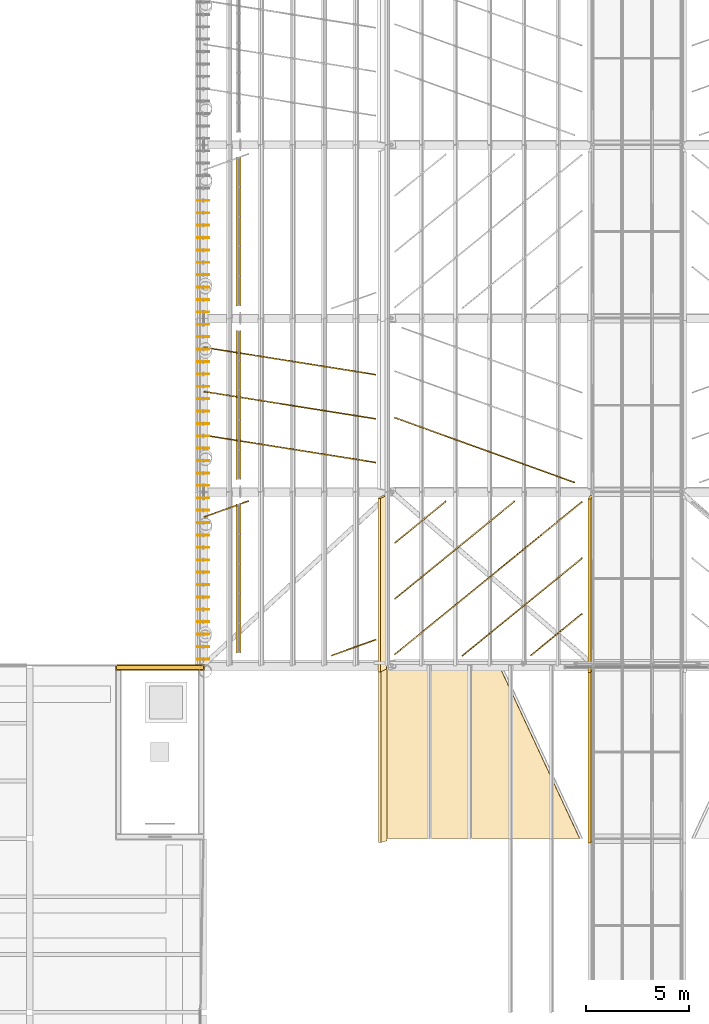
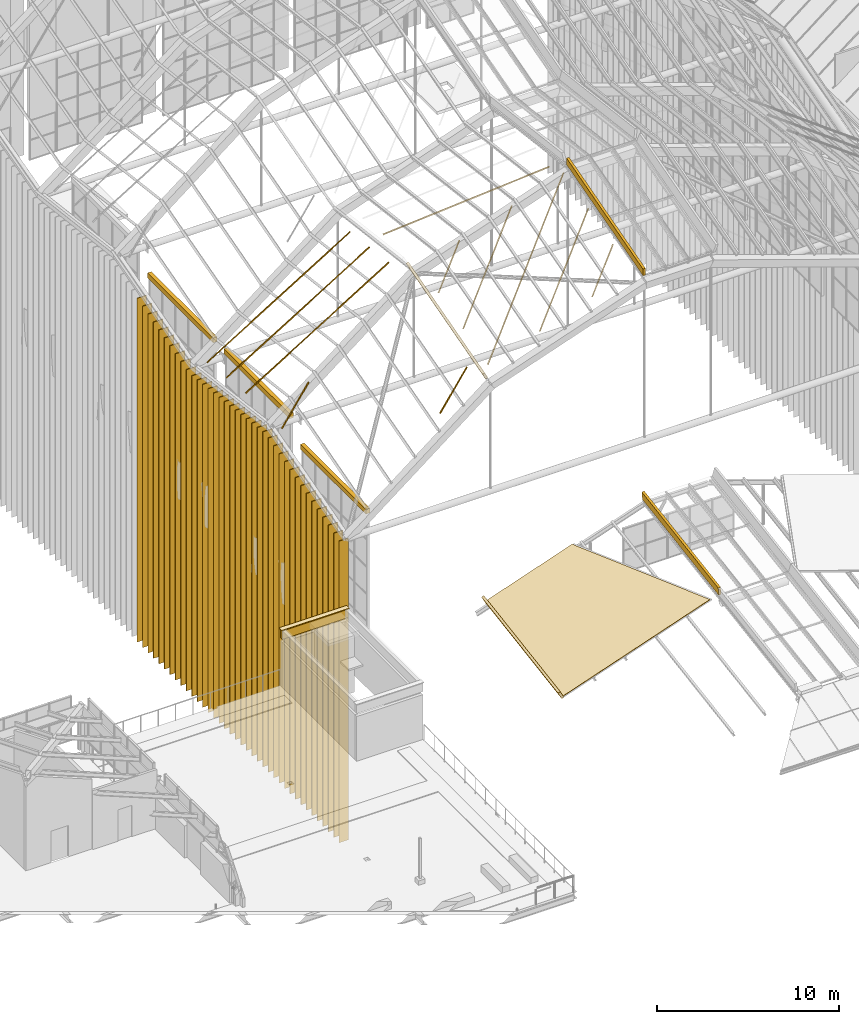
# One storey, part 101 of 126: 38 shading devices, 21 coverings.
"""IFC4 building model written with IfcOpenShell, lengths in metres."""

from ifc_helpers import new_model, si_unit, direction, frame, origin, origin_2d, place, context, subcontext, project, spatial, polyline, rectangle, outline, extrude, material, layer, layer_set, material_profile, profile_set, type_object, element, save


model = new_model("IFC4")

# Units and contexts
model_context = context("Model", 3, precision=1e-05, world=origin(), true_north=direction((0.0, 1.0)))
body_context = subcontext(model_context, "Body", "Model", "MODEL_VIEW")
ifc_project = project(units=[si_unit("LENGTHUNIT", "METRE"), si_unit("AREAUNIT", "SQUARE_METRE"), si_unit("VOLUMEUNIT", "CUBIC_METRE"), si_unit("PLANEANGLEUNIT", "RADIAN"), si_unit("MASSUNIT", "GRAM", prefix="KILO")], contexts=[model_context])

# Site, building, storey
site_placement = place(None, origin())
site = spatial("IfcSite", under=ifc_project, at=site_placement, CompositionType="ELEMENT")
building_placement = place(site_placement, origin())
building = spatial("IfcBuilding", under=site, at=building_placement, Name="Sava Quay Ferry Terminal", CompositionType="ELEMENT")
storey_placement = place(building_placement, frame((0.0, 0.0, 15.0)))
storey = spatial("IfcBuildingStorey", under=building, at=storey_placement, Name="L03", CompositionType="ELEMENT", Elevation=15.0)

# Coverings
ifc_material_1 = material(Name="Copper patinated")
ifc_layer_1 = layer(ifc_material_1, 0.25)
ifc_layer_set_1 = layer_set([ifc_layer_1], Name="Copper patinated")
covering_type_1 = type_object("IfcCoveringType", Name="Copper spandrel panel 250", PredefinedType="CLADDING", material=ifc_layer_set_1)
covering_1_placement = place(storey_placement, frame((43.699951171875, 51.0, 9.10009765625), z_axis=(0.0, 0.0, 1.0), x_axis=(0.0, 1.0, 0.0)))
element("IfcCovering", 1, at=covering_1_placement, inside=storey, type_object=covering_type_1, Name="Spandrel panel D-W", PredefinedType="CLADDING", context=body_context, shape_type="SweptSolid", body=[
    extrude(outline(polyline([(0.0, 0.0), (7.199951171875, 0.0), (7.199951171875, 0.31640625), (0.0, 0.31640625), (0.0, 0.0)])), frame((0.0, 0.125, 0.0), z_axis=(0.0, -1.0, 0.0), x_axis=(1.0, 0.0, 0.0)), (0.0, 0.0, 1.0), 0.25),
])
covering_2_placement = place(storey_placement, frame((43.699951171875, 59.39990234375, 10.39990234375), z_axis=(0.0, 0.0, 1.0), x_axis=(0.0, 1.0, 0.0)))
element("IfcCovering", 2, at=covering_2_placement, inside=storey, type_object=covering_type_1, Name="Spandrel panel D-W", PredefinedType="CLADDING", context=body_context, shape_type="SweptSolid", body=[
    extrude(outline(polyline([(0.0, 0.0), (7.2001953125, 0.0), (7.199951171875, 0.337890625), (0.0, 0.337890625), (0.0, 0.0)])), frame((0.0, 0.125, 0.0), z_axis=(0.0, -1.0, 0.0), x_axis=(1.0, 0.0, 0.0)), (0.0, 0.0, 1.0), 0.25),
])
covering_3_placement = place(storey_placement, frame((43.699951171875, 67.800048828125, 10.39990234375), z_axis=(0.0, 0.0, 1.0), x_axis=(0.0, 1.0, 0.0)))
element("IfcCovering", 3, at=covering_3_placement, inside=storey, type_object=covering_type_1, Name="Spandrel panel D-W", PredefinedType="CLADDING", context=body_context, shape_type="SweptSolid", body=[
    extrude(outline(polyline([(0.0, 0.0), (7.199951171875, 0.0), (7.199951171875, 0.33056640625), (0.0, 0.33056640625), (0.0, 0.0)])), frame((0.0, 0.125, 0.0), z_axis=(0.0, -1.0, 0.0), x_axis=(1.0, 0.0, 0.0)), (0.0, 0.0, 1.0), 0.25),
])
ifc_material_2 = material(Name="Steel S355", Category="steel")
ifc_material_profile_1 = material_profile(ifc_material_2, rectangle(XDim=0.14990234375, YDim=0.60009765625, at=origin_2d()), Name="Cap 150 x 600")
ifc_profile_set_1 = profile_set([ifc_material_profile_1], Name="Steel S355")
covering_type_2 = type_object("IfcCoveringType", Name="Crease capping 150x600", PredefinedType="MOLDING", material=ifc_profile_set_1)
for number, where, z_axis, x_axis, name in (
    (4, (50.657958984375, 50.156494140625, 16.40087890625), (0.0, 0.962818275279, 0.270149900588), (-0.885826064608, 0.12535426489, -0.446764469866), "Departure hall crease capping bay 1 crease 1"),
    (5, (60.73779296875, 50.128662109375, 19.864013671875), (0.0, 0.962818275279, 0.270149900588), (-0.987217634461, 0.043055946895, -0.15345203696), "Departure hall crease capping bay 1 crease 2"),
):
    element("IfcCovering", number, at=place(storey_placement, frame(where, z_axis=z_axis, x_axis=x_axis)), inside=storey, type_object=covering_type_2, Name=name, PredefinedType="MOLDING", context=body_context, shape_type="SweptSolid", body=[
        extrude(rectangle(XDim=0.14990234375, YDim=0.60009765625, at=origin_2d()), origin(), (0.0, 0.0, 1.0), 8.724609375),
    ])
covering_4_placement = place(storey_placement, frame((50.68310546875, 41.867919921875, 0.007568359375), z_axis=(0.0, 0.987364949676, 0.158462791063), x_axis=(-0.881204241549, 0.074911025601, -0.466762705151)))
element("IfcCovering", 6, at=covering_4_placement, inside=storey, type_object=covering_type_2, Name="Arrivals hall crease capping bay 2 crease 1", PredefinedType="MOLDING", context=body_context, shape_type="SweptSolid", body=[
    extrude(rectangle(XDim=0.14990234375, YDim=0.60009765625, at=origin_2d()), origin(), (0.0, 0.0, 1.0), 8.507568359375),
])
covering_5_placement = place(storey_placement, frame((60.745849609375, 41.852294921875, 3.469970703125), z_axis=(0.0, 0.98736422906, 0.158467281081), x_axis=(-0.986605076852, 0.025850294201, -0.161065777305)))
element("IfcCovering", 7, at=covering_5_placement, inside=storey, type_object=covering_type_2, Name="Arrivals hall crease capping bay 2 crease 2", PredefinedType="MOLDING", context=body_context, shape_type="SweptSolid", body=[
    extrude(rectangle(XDim=0.14990234375, YDim=0.60009765625, at=origin_2d()), origin(), (0.0, 0.0, 1.0), 8.50732421875),
])
ifc_material_3 = material(Name="Limestone Mutalj", Category="masonry")
ifc_layer_2 = layer(ifc_material_3, 0.050048828125)
ifc_layer_set_2 = layer_set([ifc_layer_2], Name="Limestone Mutalj")
covering_type_3 = type_object("IfcCoveringType", Name="Overrun coping 300", PredefinedType="MOLDING", material=ifc_layer_set_2)
covering_6_placement = place(storey_placement, frame((39.89990234375, 50.300048828125, 3.7998046875), z_axis=(0.0, 0.0, 1.0), x_axis=(1.0, 0.0, 0.0)))
element("IfcCovering", 8, at=covering_6_placement, inside=storey, type_object=covering_type_3, Name="Overrun coping ST-W2 N", PredefinedType="MOLDING", context=body_context, shape_type="SweptSolid", body=[
    extrude(rectangle(XDim=4.300048828125, YDim=0.300048828125, at=origin_2d()), origin(), (0.0, 0.0, 1.0), 0.050048828125),
])
ifc_material_4 = material(Name="Limestone Mutalj", Category="masonry")
ifc_layer_3 = layer(ifc_material_4, 0.199951171875)
ifc_layer_set_3 = layer_set([ifc_layer_3], Name="Limestone Mutalj")
covering_type_4 = type_object("IfcCoveringType", Name="Overrun parapet 200", PredefinedType="MOLDING", material=ifc_layer_set_3)
covering_7_placement = place(storey_placement, frame((39.89990234375, 50.300048828125, 3.199951171875), z_axis=(0.0, 0.0, 1.0), x_axis=(1.0, 0.0, 0.0)))
element("IfcCovering", 9, at=covering_7_placement, inside=storey, type_object=covering_type_4, Name="Overrun parapet ST-W2 N", PredefinedType="MOLDING", context=body_context, shape_type="SweptSolid", body=[
    extrude(rectangle(XDim=4.199951171875, YDim=0.199951171875, at=origin_2d()), origin(), (0.0, 0.0, 1.0), 0.60009765625),
])
ifc_material_5 = material(Name="Zinc standing seam")
ifc_layer_4 = layer(ifc_material_5, 0.0400390625)
ifc_layer_set_4 = layer_set([ifc_layer_4], Name="Zinc standing seam")
covering_type_5 = type_object("IfcCoveringType", Name="Roof seam rib 60", PredefinedType="ROOFING", material=ifc_layer_set_4)
for number, where, z_axis, x_axis, name in (
    (10, (48.186767578125, 50.88818359375, 14.34521484375), (-0.60113236674, -0.215991283288, 0.769407332433), (0.724124379374, 0.26006063106, 0.638758445242), "Roof seam rib"),
    (11, (42.02099609375, 57.59912109375, 11.4111328125), (-0.60113236674, -0.215991283288, 0.769407332433), (0.724124379374, 0.26006063106, 0.638758445242), "Roof seam rib"),
):
    element("IfcCovering", number, at=place(storey_placement, frame(where, z_axis=z_axis, x_axis=x_axis)), inside=storey, type_object=covering_type_5, Name=name, PredefinedType="ROOFING", context=body_context, shape_type="SweptSolid", body=[
        extrude(outline(polyline([(0.0, 0.0), (2.9571679712332175, 8.649222831003112e-17), (2.957174884737407, -0.05992645325664395), (6.913504189427072e-06, -0.059926453256644044), (0.0, 0.0)])), origin(), (0.0, 0.0, -1.0), 0.0400390625),
    ])
covering_8_placement = place(storey_placement, frame((57.830810546875, 50.88330078125, 18.796630859375), z_axis=(-0.314106095751, -0.257220739828, 0.913879013664), x_axis=(0.708466258121, 0.577279163236, 0.405985626344)))
element("IfcCovering", 12, at=covering_8_placement, inside=storey, type_object=covering_type_5, Name="Roof seam rib", PredefinedType="ROOFING", context=body_context, shape_type="SweptSolid", body=[
    extrude(outline(polyline([(0.0, 0.0), (3.4949922497935186, -1.0842021724855044e-17), (3.4951967652358884, -0.06001852629964467), (6.35781466575662e-05, -0.06020772918177522), (0.0, 0.0)])), origin(), (0.0, 0.0, -1.0), 0.0400390625),
])
covering_9_placement = place(storey_placement, frame((54.506591796875, 50.88330078125, 17.652099609375), z_axis=(-0.314794436036, -0.256285522532, 0.913904915175), x_axis=(0.708452676715, 0.577336149767, 0.405928288035)))
element("IfcCovering", 13, at=covering_9_placement, inside=storey, type_object=covering_type_5, Name="Roof seam rib", PredefinedType="ROOFING", context=body_context, shape_type="SweptSolid", body=[
    extrude(outline(polyline([(0.0, 0.0), (8.187286541519384, -4.0700949555105836e-16), (8.187346945074559, -0.060207728374993295), (-0.0001125585241016705, -0.06005351355849104), (0.0, 0.0)])), origin(), (0.0, 0.0, -1.0), 0.0400390625),
])
covering_10_placement = place(storey_placement, frame((51.23681640625, 50.927490234375, 16.53857421875), z_axis=(-0.31446572074, -0.256689866536, 0.913904602733), x_axis=(0.708445894793, 0.577344026253, 0.405928921734)))
element("IfcCovering", 14, at=covering_10_placement, inside=storey, type_object=covering_type_5, Name="Roof seam rib", PredefinedType="ROOFING", context=body_context, shape_type="SweptSolid", body=[
    extrude(outline(polyline([(0.0, 0.0), (12.802771028628666, -2.5543803183758484e-16), (12.802830806600713, -0.06020774084914863), (2.7770679921504393e-05, -0.05986425015122872), (0.0, 0.0)])), origin(), (0.0, 0.0, -1.0), 0.0400390625),
])
covering_11_placement = place(storey_placement, frame((51.23681640625, 53.636474609375, 17.298583984375), z_axis=(-0.314895030237, -0.25621380413, 0.913890368975), x_axis=(0.708441420567, 0.577326979548, 0.405960973878)))
element("IfcCovering", 15, at=covering_11_placement, inside=storey, type_object=covering_type_5, Name="Roof seam rib", PredefinedType="ROOFING", context=body_context, shape_type="SweptSolid", body=[
    extrude(outline(polyline([(0.0, 0.0), (8.187385649223211, -4.617617052615763e-16), (8.187273092361455, -0.06005351771160685), (2.8392107858220966e-05, -0.05986424210506799), (0.0, 0.0)])), origin(), (0.0, 0.0, -1.0), 0.0400390625),
])
covering_12_placement = place(storey_placement, frame((51.23681640625, 56.345458984375, 18.058837890625), z_axis=(-0.314884504303, -0.256205239722, 0.913896396803), x_axis=(0.70841734229, 0.577366075623, 0.405947390511)))
element("IfcCovering", 16, at=covering_12_placement, inside=storey, type_object=covering_type_5, Name="Roof seam rib", PredefinedType="ROOFING", context=body_context, shape_type="SweptSolid", body=[
    extrude(outline(polyline([(0.0, 0.0), (3.4948611253527404, -4.36879265403034e-16), (3.4947458342421354, -0.0600535125251691), (2.566740395125444e-05, -0.05986424333586581), (0.0, 0.0)])), origin(), (0.0, 0.0, -1.0), 0.0400390625),
])
covering_13_placement = place(storey_placement, frame((42.027587890625, 61.5634765625, 11.3916015625), z_axis=(-0.612789242084, 0.097088007491, 0.784259691421), x_axis=(0.774539036618, -0.123095892751, 0.620432657057)))
element("IfcCovering", 17, at=covering_13_placement, inside=storey, type_object=covering_type_5, Name="Roof seam rib", PredefinedType="ROOFING", context=body_context, shape_type="SweptSolid", body=[
    extrude(outline(polyline([(0.0, 0.0), (10.725944895530251, -2.0036056147532122e-16), (10.726062038730188, -0.060047018729689074), (-7.195324454987388e-05, -0.06008529405130016), (0.0, 0.0)])), origin(), (0.0, 0.0, -1.0), 0.0400390625),
])
covering_14_placement = place(storey_placement, frame((42.027587890625, 63.689697265625, 11.127685546875), z_axis=(-0.612713252648, 0.097477108376, 0.78427079722), x_axis=(0.7745499738, -0.123097633772, 0.620418657558)))
element("IfcCovering", 18, at=covering_14_placement, inside=storey, type_object=covering_type_5, Name="Roof seam rib", PredefinedType="ROOFING", context=body_context, shape_type="SweptSolid", body=[
    extrude(outline(polyline([(0.0, 0.0), (10.725793423087307, -3.589793393099505e-16), (10.725880514974147, -0.05980587215757152), (-0.00010200722785683528, -0.05984420675134462), (0.0, 0.0)])), origin(), (0.0, 0.0, -1.0), 0.0400390625),
])
covering_15_placement = place(storey_placement, frame((42.027587890625, 65.816162109375, 10.86376953125), z_axis=(-0.612775414505, 0.097085816701, 0.784270766747), x_axis=(0.774549974667, -0.123097631112, 0.620418657004)))
element("IfcCovering", 19, at=covering_15_placement, inside=storey, type_object=covering_type_5, Name="Roof seam rib", PredefinedType="ROOFING", context=body_context, shape_type="SweptSolid", body=[
    extrude(outline(polyline([(0.0, 0.0), (10.725793423087254, 6.071532165918825e-18), (10.725910567941494, -0.06004701872856421), (-7.195426066875475e-05, -0.0600852940521847), (0.0, 0.0)])), origin(), (0.0, 0.0, -1.0), 0.0400390625),
])
covering_16_placement = place(storey_placement, frame((51.258056640625, 62.431884765625, 18.281982421875), z_axis=(-0.323265042717, 0.11685121674, 0.939066294413), x_axis=(0.883386847899, -0.318548653042, 0.343735992593)))
element("IfcCovering", 20, at=covering_16_placement, inside=storey, type_object=covering_type_5, Name="Roof seam rib", PredefinedType="ROOFING", context=body_context, shape_type="SweptSolid", body=[
    extrude(outline(polyline([(0.0, 0.0), (9.869117910346914, 1.1926223897340549e-17), (9.868966602639178, -0.06000924405620099), (6.43629094277745e-05, -0.059926406099127465), (0.0, 0.0)])), origin(), (0.0, 0.0, -1.0), 0.0400390625),
])
ifc_material_6 = material(Name="Zinc standing seam sheet")
ifc_layer_5 = layer(ifc_material_6, 0.0400390625)
ifc_layer_set_5 = layer_set([ifc_layer_5], Name="Zinc standing seam sheet")
covering_type_6 = type_object("IfcCoveringType", Name="Standing seam roofing 40", PredefinedType="ROOFING", material=ifc_layer_set_5)
covering_17_placement = place(storey_placement, frame((50.83349609375, 50.389892578125, 1.112548828125), z_axis=(-0.321894753976, -0.150016182453, 0.934814908078), x_axis=(0.945514726196, 1.231557e-06, 0.32557933372)))
element("IfcCovering", 21, at=covering_17_placement, inside=storey, type_object=covering_type_6, Name="Arrivals hall roofing bay 2 facet 2 (lower part)", PredefinedType="ROOFING", context=body_context, shape_type="SweptSolid", body=[
    extrude(outline(polyline([(0.0, 0.0), (5.79707152021702, -5.551115123125783e-17), (9.48978558344815, -8.475810660298306), (-0.43782549855654596, -8.475791072795198), (0.0, 0.0)])), origin(), (0.0, 0.0, -1.0), 0.0400390625),
])

# Shading devices
ifc_material_7 = material(Name="Aluminium bronze anodised", Category="aluminium")
ifc_material_profile_2 = material_profile(ifc_material_7, rectangle(XDim=0.0400390625, YDim=0.60009765625, at=origin_2d()), Name="Vertical brise-soleil blade 40x600")
ifc_profile_set_2 = profile_set([ifc_material_profile_2], Name="Aluminium bronze anodised")
shading_device_type = type_object("IfcShadingDeviceType", Name="Vertical brise-soleil blade 40x600", PredefinedType="USERDEFINED", material=ifc_profile_set_2)
shading_device_1_placement = place(storey_placement, frame((42.0, 50.699951171875, -12.10009765625), z_axis=(0.0, 0.0, 1.0), x_axis=(0.0, 1.0, 0.0)))
element("IfcShadingDevice", 22, at=shading_device_1_placement, inside=storey, type_object=shading_device_type, Name="Brise-soleil blade D-W 1", ObjectType="BRISE-SOLEIL BLADE", PredefinedType="USERDEFINED", context=body_context, shape_type="SweptSolid", body=[
    extrude(rectangle(XDim=0.0400390625, YDim=0.60009765625, at=origin_2d()), origin(), (0.0, 0.0, 1.0), 20.23583984375),
])
shading_device_2_placement = place(storey_placement, frame((42.0, 51.300048828125, -12.10009765625), z_axis=(0.0, 0.0, 1.0), x_axis=(0.0, 1.0, 0.0)))
element("IfcShadingDevice", 23, at=shading_device_2_placement, inside=storey, type_object=shading_device_type, Name="Brise-soleil blade D-W 2", ObjectType="BRISE-SOLEIL BLADE", PredefinedType="USERDEFINED", context=body_context, shape_type="SweptSolid", body=[
    extrude(rectangle(XDim=0.0400390625, YDim=0.60009765625, at=origin_2d()), origin(), (0.0, 0.0, 1.0), 20.404052734375),
])
shading_device_3_placement = place(storey_placement, frame((42.0, 51.89990234375, -12.10009765625), z_axis=(0.0, 0.0, 1.0), x_axis=(0.0, 1.0, 0.0)))
element("IfcShadingDevice", 24, at=shading_device_3_placement, inside=storey, type_object=shading_device_type, Name="Brise-soleil blade D-W 3", ObjectType="BRISE-SOLEIL BLADE", PredefinedType="USERDEFINED", context=body_context, shape_type="SweptSolid", body=[
    extrude(rectangle(XDim=0.0400390625, YDim=0.60009765625, at=origin_2d()), origin(), (0.0, 0.0, 1.0), 20.572509765625),
])
shading_device_4_placement = place(storey_placement, frame((42.0, 52.5, -12.10009765625), z_axis=(0.0, 0.0, 1.0), x_axis=(0.0, 1.0, 0.0)))
element("IfcShadingDevice", 25, at=shading_device_4_placement, inside=storey, type_object=shading_device_type, Name="Brise-soleil blade D-W 4", ObjectType="BRISE-SOLEIL BLADE", PredefinedType="USERDEFINED", context=body_context, shape_type="SweptSolid", body=[
    extrude(rectangle(XDim=0.0400390625, YDim=0.60009765625, at=origin_2d()), origin(), (0.0, 0.0, 1.0), 20.740966796875),
])
shading_device_5_placement = place(storey_placement, frame((42.0, 53.10009765625, -12.10009765625), z_axis=(0.0, 0.0, 1.0), x_axis=(0.0, 1.0, 0.0)))
element("IfcShadingDevice", 26, at=shading_device_5_placement, inside=storey, type_object=shading_device_type, Name="Brise-soleil blade D-W 5", ObjectType="BRISE-SOLEIL BLADE", PredefinedType="USERDEFINED", context=body_context, shape_type="SweptSolid", body=[
    extrude(rectangle(XDim=0.0400390625, YDim=0.60009765625, at=origin_2d()), origin(), (0.0, 0.0, 1.0), 20.9091796875),
])
shading_device_6_placement = place(storey_placement, frame((42.0, 53.699951171875, -12.10009765625), z_axis=(0.0, 0.0, 1.0), x_axis=(0.0, 1.0, 0.0)))
element("IfcShadingDevice", 27, at=shading_device_6_placement, inside=storey, type_object=shading_device_type, Name="Brise-soleil blade D-W 6", ObjectType="BRISE-SOLEIL BLADE", PredefinedType="USERDEFINED", context=body_context, shape_type="SweptSolid", body=[
    extrude(rectangle(XDim=0.0400390625, YDim=0.60009765625, at=origin_2d()), origin(), (0.0, 0.0, 1.0), 21.07763671875),
])
shading_device_7_placement = place(storey_placement, frame((42.0, 54.300048828125, -12.10009765625), z_axis=(0.0, 0.0, 1.0), x_axis=(0.0, 1.0, 0.0)))
element("IfcShadingDevice", 28, at=shading_device_7_placement, inside=storey, type_object=shading_device_type, Name="Brise-soleil blade D-W 7", ObjectType="BRISE-SOLEIL BLADE", PredefinedType="USERDEFINED", context=body_context, shape_type="SweptSolid", body=[
    extrude(rectangle(XDim=0.0400390625, YDim=0.60009765625, at=origin_2d()), origin(), (0.0, 0.0, 1.0), 21.245849609375),
])
shading_device_8_placement = place(storey_placement, frame((42.0, 54.89990234375, -12.10009765625), z_axis=(0.0, 0.0, 1.0), x_axis=(0.0, 1.0, 0.0)))
element("IfcShadingDevice", 29, at=shading_device_8_placement, inside=storey, type_object=shading_device_type, Name="Brise-soleil blade D-W 8", ObjectType="BRISE-SOLEIL BLADE", PredefinedType="USERDEFINED", context=body_context, shape_type="SweptSolid", body=[
    extrude(rectangle(XDim=0.0400390625, YDim=0.60009765625, at=origin_2d()), origin(), (0.0, 0.0, 1.0), 21.414306640625),
])
shading_device_9_placement = place(storey_placement, frame((42.0, 55.5, -12.10009765625), z_axis=(0.0, 0.0, 1.0), x_axis=(0.0, 1.0, 0.0)))
element("IfcShadingDevice", 30, at=shading_device_9_placement, inside=storey, type_object=shading_device_type, Name="Brise-soleil blade D-W 9", ObjectType="BRISE-SOLEIL BLADE", PredefinedType="USERDEFINED", context=body_context, shape_type="SweptSolid", body=[
    extrude(rectangle(XDim=0.0400390625, YDim=0.60009765625, at=origin_2d()), origin(), (0.0, 0.0, 1.0), 21.58251953125),
])
shading_device_10_placement = place(storey_placement, frame((42.0, 56.10009765625, -12.10009765625), z_axis=(0.0, 0.0, 1.0), x_axis=(0.0, 1.0, 0.0)))
element("IfcShadingDevice", 31, at=shading_device_10_placement, inside=storey, type_object=shading_device_type, Name="Brise-soleil blade D-W 10", ObjectType="BRISE-SOLEIL BLADE", PredefinedType="USERDEFINED", context=body_context, shape_type="SweptSolid", body=[
    extrude(rectangle(XDim=0.0400390625, YDim=0.60009765625, at=origin_2d()), origin(), (0.0, 0.0, 1.0), 21.7509765625),
])
shading_device_11_placement = place(storey_placement, frame((42.0, 56.699951171875, -12.10009765625), z_axis=(0.0, 0.0, 1.0), x_axis=(0.0, 1.0, 0.0)))
element("IfcShadingDevice", 32, at=shading_device_11_placement, inside=storey, type_object=shading_device_type, Name="Brise-soleil blade D-W 11", ObjectType="BRISE-SOLEIL BLADE", PredefinedType="USERDEFINED", context=body_context, shape_type="SweptSolid", body=[
    extrude(rectangle(XDim=0.0400390625, YDim=0.60009765625, at=origin_2d()), origin(), (0.0, 0.0, 1.0), 21.91943359375),
])
shading_device_12_placement = place(storey_placement, frame((42.0, 57.300048828125, -12.10009765625), z_axis=(0.0, 0.0, 1.0), x_axis=(0.0, 1.0, 0.0)))
element("IfcShadingDevice", 33, at=shading_device_12_placement, inside=storey, type_object=shading_device_type, Name="Brise-soleil blade D-W 12", ObjectType="BRISE-SOLEIL BLADE", PredefinedType="USERDEFINED", context=body_context, shape_type="SweptSolid", body=[
    extrude(rectangle(XDim=0.0400390625, YDim=0.60009765625, at=origin_2d()), origin(), (0.0, 0.0, 1.0), 22.087646484375),
])
shading_device_13_placement = place(storey_placement, frame((42.0, 57.89990234375, -12.10009765625), z_axis=(0.0, 0.0, 1.0), x_axis=(0.0, 1.0, 0.0)))
element("IfcShadingDevice", 34, at=shading_device_13_placement, inside=storey, type_object=shading_device_type, Name="Brise-soleil blade D-W 13", ObjectType="BRISE-SOLEIL BLADE", PredefinedType="USERDEFINED", context=body_context, shape_type="SweptSolid", body=[
    extrude(rectangle(XDim=0.0400390625, YDim=0.60009765625, at=origin_2d()), origin(), (0.0, 0.0, 1.0), 22.256103515625),
])
shading_device_14_placement = place(storey_placement, frame((42.0, 58.5, -12.10009765625), z_axis=(0.0, 0.0, 1.0), x_axis=(0.0, 1.0, 0.0)))
element("IfcShadingDevice", 35, at=shading_device_14_placement, inside=storey, type_object=shading_device_type, Name="Brise-soleil blade D-W 14", ObjectType="BRISE-SOLEIL BLADE", PredefinedType="USERDEFINED", context=body_context, shape_type="SweptSolid", body=[
    extrude(rectangle(XDim=0.0400390625, YDim=0.60009765625, at=origin_2d()), origin(), (0.0, 0.0, 1.0), 22.42431640625),
])
shading_device_15_placement = place(storey_placement, frame((42.0, 59.10009765625, -12.10009765625), z_axis=(0.0, 0.0, 1.0), x_axis=(0.0, 1.0, 0.0)))
element("IfcShadingDevice", 36, at=shading_device_15_placement, inside=storey, type_object=shading_device_type, Name="Brise-soleil blade D-W 15", ObjectType="BRISE-SOLEIL BLADE", PredefinedType="USERDEFINED", context=body_context, shape_type="SweptSolid", body=[
    extrude(rectangle(XDim=0.0400390625, YDim=0.60009765625, at=origin_2d()), origin(), (0.0, 0.0, 1.0), 22.471435546875),
])
shading_device_16_placement = place(storey_placement, frame((42.0, 59.699951171875, -12.10009765625), z_axis=(0.0, 0.0, 1.0), x_axis=(0.0, 1.0, 0.0)))
element("IfcShadingDevice", 37, at=shading_device_16_placement, inside=storey, type_object=shading_device_type, Name="Brise-soleil blade D-W 16", ObjectType="BRISE-SOLEIL BLADE", PredefinedType="USERDEFINED", context=body_context, shape_type="SweptSolid", body=[
    extrude(rectangle(XDim=0.0400390625, YDim=0.60009765625, at=origin_2d()), origin(), (0.0, 0.0, 1.0), 22.396728515625),
])
shading_device_17_placement = place(storey_placement, frame((42.0, 60.300048828125, -12.10009765625), z_axis=(0.0, 0.0, 1.0), x_axis=(0.0, 1.0, 0.0)))
element("IfcShadingDevice", 38, at=shading_device_17_placement, inside=storey, type_object=shading_device_type, Name="Brise-soleil blade D-W 17", ObjectType="BRISE-SOLEIL BLADE", PredefinedType="USERDEFINED", context=body_context, shape_type="SweptSolid", body=[
    extrude(rectangle(XDim=0.0400390625, YDim=0.60009765625, at=origin_2d()), origin(), (0.0, 0.0, 1.0), 22.322265625),
])
shading_device_18_placement = place(storey_placement, frame((42.0, 60.89990234375, -12.10009765625), z_axis=(0.0, 0.0, 1.0), x_axis=(0.0, 1.0, 0.0)))
element("IfcShadingDevice", 39, at=shading_device_18_placement, inside=storey, type_object=shading_device_type, Name="Brise-soleil blade D-W 18", ObjectType="BRISE-SOLEIL BLADE", PredefinedType="USERDEFINED", context=body_context, shape_type="SweptSolid", body=[
    extrude(rectangle(XDim=0.0400390625, YDim=0.60009765625, at=origin_2d()), origin(), (0.0, 0.0, 1.0), 22.247802734375),
])
shading_device_19_placement = place(storey_placement, frame((42.0, 61.5, -12.10009765625), z_axis=(0.0, 0.0, 1.0), x_axis=(0.0, 1.0, 0.0)))
element("IfcShadingDevice", 40, at=shading_device_19_placement, inside=storey, type_object=shading_device_type, Name="Brise-soleil blade D-W 19", ObjectType="BRISE-SOLEIL BLADE", PredefinedType="USERDEFINED", context=body_context, shape_type="SweptSolid", body=[
    extrude(rectangle(XDim=0.0400390625, YDim=0.60009765625, at=origin_2d()), origin(), (0.0, 0.0, 1.0), 22.17333984375),
])
shading_device_20_placement = place(storey_placement, frame((42.0, 62.10009765625, -12.10009765625), z_axis=(0.0, 0.0, 1.0), x_axis=(0.0, 1.0, 0.0)))
element("IfcShadingDevice", 41, at=shading_device_20_placement, inside=storey, type_object=shading_device_type, Name="Brise-soleil blade D-W 20", ObjectType="BRISE-SOLEIL BLADE", PredefinedType="USERDEFINED", context=body_context, shape_type="SweptSolid", body=[
    extrude(rectangle(XDim=0.0400390625, YDim=0.60009765625, at=origin_2d()), origin(), (0.0, 0.0, 1.0), 22.098876953125),
])
shading_device_21_placement = place(storey_placement, frame((42.0, 62.699951171875, -12.10009765625), z_axis=(0.0, 0.0, 1.0), x_axis=(0.0, 1.0, 0.0)))
element("IfcShadingDevice", 42, at=shading_device_21_placement, inside=storey, type_object=shading_device_type, Name="Brise-soleil blade D-W 21", ObjectType="BRISE-SOLEIL BLADE", PredefinedType="USERDEFINED", context=body_context, shape_type="SweptSolid", body=[
    extrude(rectangle(XDim=0.0400390625, YDim=0.60009765625, at=origin_2d()), origin(), (0.0, 0.0, 1.0), 22.0244140625),
])
shading_device_22_placement = place(storey_placement, frame((42.0, 63.300048828125, -12.10009765625), z_axis=(0.0, 0.0, 1.0), x_axis=(0.0, 1.0, 0.0)))
element("IfcShadingDevice", 43, at=shading_device_22_placement, inside=storey, type_object=shading_device_type, Name="Brise-soleil blade D-W 22", ObjectType="BRISE-SOLEIL BLADE", PredefinedType="USERDEFINED", context=body_context, shape_type="SweptSolid", body=[
    extrude(rectangle(XDim=0.0400390625, YDim=0.60009765625, at=origin_2d()), origin(), (0.0, 0.0, 1.0), 21.949951171875),
])
shading_device_23_placement = place(storey_placement, frame((42.0, 63.89990234375, -12.10009765625), z_axis=(0.0, 0.0, 1.0), x_axis=(0.0, 1.0, 0.0)))
element("IfcShadingDevice", 44, at=shading_device_23_placement, inside=storey, type_object=shading_device_type, Name="Brise-soleil blade D-W 23", ObjectType="BRISE-SOLEIL BLADE", PredefinedType="USERDEFINED", context=body_context, shape_type="SweptSolid", body=[
    extrude(rectangle(XDim=0.0400390625, YDim=0.60009765625, at=origin_2d()), origin(), (0.0, 0.0, 1.0), 21.875244140625),
])
shading_device_24_placement = place(storey_placement, frame((42.0, 64.5, -12.10009765625), z_axis=(0.0, 0.0, 1.0), x_axis=(0.0, 1.0, 0.0)))
element("IfcShadingDevice", 45, at=shading_device_24_placement, inside=storey, type_object=shading_device_type, Name="Brise-soleil blade D-W 24", ObjectType="BRISE-SOLEIL BLADE", PredefinedType="USERDEFINED", context=body_context, shape_type="SweptSolid", body=[
    extrude(rectangle(XDim=0.0400390625, YDim=0.60009765625, at=origin_2d()), origin(), (0.0, 0.0, 1.0), 21.80078125),
])
shading_device_25_placement = place(storey_placement, frame((42.0, 65.10009765625, -12.10009765625), z_axis=(0.0, 0.0, 1.0), x_axis=(0.0, 1.0, 0.0)))
element("IfcShadingDevice", 46, at=shading_device_25_placement, inside=storey, type_object=shading_device_type, Name="Brise-soleil blade D-W 25", ObjectType="BRISE-SOLEIL BLADE", PredefinedType="USERDEFINED", context=body_context, shape_type="SweptSolid", body=[
    extrude(rectangle(XDim=0.0400390625, YDim=0.60009765625, at=origin_2d()), origin(), (0.0, 0.0, 1.0), 21.726318359375),
])
shading_device_26_placement = place(storey_placement, frame((42.0, 65.699951171875, -12.10009765625), z_axis=(0.0, 0.0, 1.0), x_axis=(0.0, 1.0, 0.0)))
element("IfcShadingDevice", 47, at=shading_device_26_placement, inside=storey, type_object=shading_device_type, Name="Brise-soleil blade D-W 26", ObjectType="BRISE-SOLEIL BLADE", PredefinedType="USERDEFINED", context=body_context, shape_type="SweptSolid", body=[
    extrude(rectangle(XDim=0.0400390625, YDim=0.60009765625, at=origin_2d()), origin(), (0.0, 0.0, 1.0), 21.65185546875),
])
shading_device_27_placement = place(storey_placement, frame((42.0, 66.300048828125, -12.10009765625), z_axis=(0.0, 0.0, 1.0), x_axis=(0.0, 1.0, 0.0)))
element("IfcShadingDevice", 48, at=shading_device_27_placement, inside=storey, type_object=shading_device_type, Name="Brise-soleil blade D-W 27", ObjectType="BRISE-SOLEIL BLADE", PredefinedType="USERDEFINED", context=body_context, shape_type="SweptSolid", body=[
    extrude(rectangle(XDim=0.0400390625, YDim=0.60009765625, at=origin_2d()), origin(), (0.0, 0.0, 1.0), 21.577392578125),
])
shading_device_28_placement = place(storey_placement, frame((42.0, 66.89990234375, -12.10009765625), z_axis=(0.0, 0.0, 1.0), x_axis=(0.0, 1.0, 0.0)))
element("IfcShadingDevice", 49, at=shading_device_28_placement, inside=storey, type_object=shading_device_type, Name="Brise-soleil blade D-W 28", ObjectType="BRISE-SOLEIL BLADE", PredefinedType="USERDEFINED", context=body_context, shape_type="SweptSolid", body=[
    extrude(rectangle(XDim=0.0400390625, YDim=0.60009765625, at=origin_2d()), origin(), (0.0, 0.0, 1.0), 21.5029296875),
])
shading_device_29_placement = place(storey_placement, frame((42.0, 67.5, -12.10009765625), z_axis=(0.0, 0.0, 1.0), x_axis=(0.0, 1.0, 0.0)))
element("IfcShadingDevice", 50, at=shading_device_29_placement, inside=storey, type_object=shading_device_type, Name="Brise-soleil blade D-W 29", ObjectType="BRISE-SOLEIL BLADE", PredefinedType="USERDEFINED", context=body_context, shape_type="SweptSolid", body=[
    extrude(rectangle(XDim=0.0400390625, YDim=0.60009765625, at=origin_2d()), origin(), (0.0, 0.0, 1.0), 21.5498046875),
])
shading_device_30_placement = place(storey_placement, frame((42.0, 68.10009765625, -12.10009765625), z_axis=(0.0, 0.0, 1.0), x_axis=(0.0, 1.0, 0.0)))
element("IfcShadingDevice", 51, at=shading_device_30_placement, inside=storey, type_object=shading_device_type, Name="Brise-soleil blade D-W 30", ObjectType="BRISE-SOLEIL BLADE", PredefinedType="USERDEFINED", context=body_context, shape_type="SweptSolid", body=[
    extrude(rectangle(XDim=0.0400390625, YDim=0.60009765625, at=origin_2d()), origin(), (0.0, 0.0, 1.0), 21.718017578125),
])
shading_device_31_placement = place(storey_placement, frame((42.0, 68.699951171875, -12.10009765625), z_axis=(0.0, 0.0, 1.0), x_axis=(0.0, 1.0, 0.0)))
element("IfcShadingDevice", 52, at=shading_device_31_placement, inside=storey, type_object=shading_device_type, Name="Brise-soleil blade D-W 31", ObjectType="BRISE-SOLEIL BLADE", PredefinedType="USERDEFINED", context=body_context, shape_type="SweptSolid", body=[
    extrude(rectangle(XDim=0.0400390625, YDim=0.60009765625, at=origin_2d()), origin(), (0.0, 0.0, 1.0), 21.886474609375),
])
shading_device_32_placement = place(storey_placement, frame((42.0, 69.300048828125, -12.10009765625), z_axis=(0.0, 0.0, 1.0), x_axis=(0.0, 1.0, 0.0)))
element("IfcShadingDevice", 53, at=shading_device_32_placement, inside=storey, type_object=shading_device_type, Name="Brise-soleil blade D-W 32", ObjectType="BRISE-SOLEIL BLADE", PredefinedType="USERDEFINED", context=body_context, shape_type="SweptSolid", body=[
    extrude(rectangle(XDim=0.0400390625, YDim=0.60009765625, at=origin_2d()), origin(), (0.0, 0.0, 1.0), 22.054931640625),
])
shading_device_33_placement = place(storey_placement, frame((42.0, 69.89990234375, -12.10009765625), z_axis=(0.0, 0.0, 1.0), x_axis=(0.0, 1.0, 0.0)))
element("IfcShadingDevice", 54, at=shading_device_33_placement, inside=storey, type_object=shading_device_type, Name="Brise-soleil blade D-W 33", ObjectType="BRISE-SOLEIL BLADE", PredefinedType="USERDEFINED", context=body_context, shape_type="SweptSolid", body=[
    extrude(rectangle(XDim=0.0400390625, YDim=0.60009765625, at=origin_2d()), origin(), (0.0, 0.0, 1.0), 22.22314453125),
])
shading_device_34_placement = place(storey_placement, frame((42.0, 70.5, -12.10009765625), z_axis=(0.0, 0.0, 1.0), x_axis=(0.0, 1.0, 0.0)))
element("IfcShadingDevice", 55, at=shading_device_34_placement, inside=storey, type_object=shading_device_type, Name="Brise-soleil blade D-W 34", ObjectType="BRISE-SOLEIL BLADE", PredefinedType="USERDEFINED", context=body_context, shape_type="SweptSolid", body=[
    extrude(rectangle(XDim=0.0400390625, YDim=0.60009765625, at=origin_2d()), origin(), (0.0, 0.0, 1.0), 22.3916015625),
])
shading_device_35_placement = place(storey_placement, frame((42.0, 71.10009765625, -12.10009765625), z_axis=(0.0, 0.0, 1.0), x_axis=(0.0, 1.0, 0.0)))
element("IfcShadingDevice", 56, at=shading_device_35_placement, inside=storey, type_object=shading_device_type, Name="Brise-soleil blade D-W 35", ObjectType="BRISE-SOLEIL BLADE", PredefinedType="USERDEFINED", context=body_context, shape_type="SweptSolid", body=[
    extrude(rectangle(XDim=0.0400390625, YDim=0.60009765625, at=origin_2d()), origin(), (0.0, 0.0, 1.0), 22.559814453125),
])
shading_device_36_placement = place(storey_placement, frame((42.0, 71.699951171875, -12.10009765625), z_axis=(0.0, 0.0, 1.0), x_axis=(0.0, 1.0, 0.0)))
element("IfcShadingDevice", 57, at=shading_device_36_placement, inside=storey, type_object=shading_device_type, Name="Brise-soleil blade D-W 36", ObjectType="BRISE-SOLEIL BLADE", PredefinedType="USERDEFINED", context=body_context, shape_type="SweptSolid", body=[
    extrude(rectangle(XDim=0.0400390625, YDim=0.60009765625, at=origin_2d()), origin(), (0.0, 0.0, 1.0), 22.728271484375),
])
shading_device_37_placement = place(storey_placement, frame((42.0, 72.300048828125, -12.10009765625), z_axis=(0.0, 0.0, 1.0), x_axis=(0.0, 1.0, 0.0)))
element("IfcShadingDevice", 58, at=shading_device_37_placement, inside=storey, type_object=shading_device_type, Name="Brise-soleil blade D-W 37", ObjectType="BRISE-SOLEIL BLADE", PredefinedType="USERDEFINED", context=body_context, shape_type="SweptSolid", body=[
    extrude(rectangle(XDim=0.0400390625, YDim=0.60009765625, at=origin_2d()), origin(), (0.0, 0.0, 1.0), 22.896728515625),
])
shading_device_38_placement = place(storey_placement, frame((42.0, 72.89990234375, -12.10009765625), z_axis=(0.0, 0.0, 1.0), x_axis=(0.0, 1.0, 0.0)))
element("IfcShadingDevice", 59, at=shading_device_38_placement, inside=storey, type_object=shading_device_type, Name="Brise-soleil blade D-W 38", ObjectType="BRISE-SOLEIL BLADE", PredefinedType="USERDEFINED", context=body_context, shape_type="SweptSolid", body=[
    extrude(rectangle(XDim=0.0400390625, YDim=0.60009765625, at=origin_2d()), origin(), (0.0, 0.0, 1.0), 23.06494140625),
])

save(model, "model.ifc")
